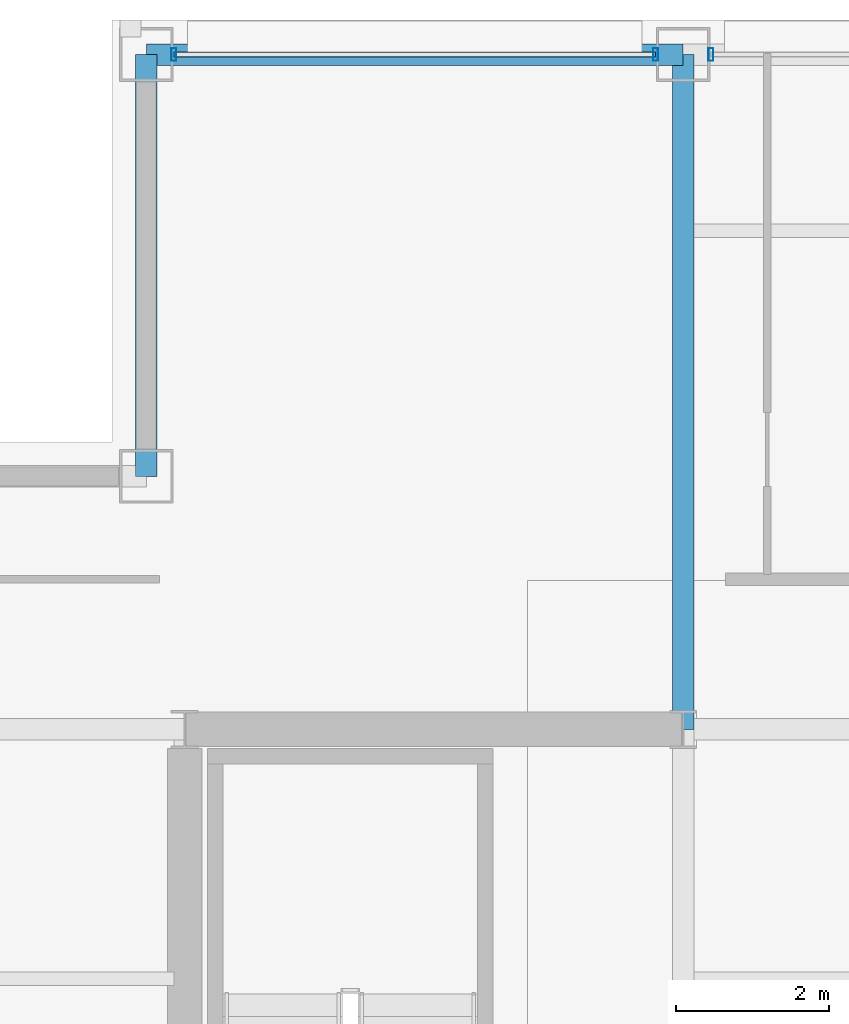
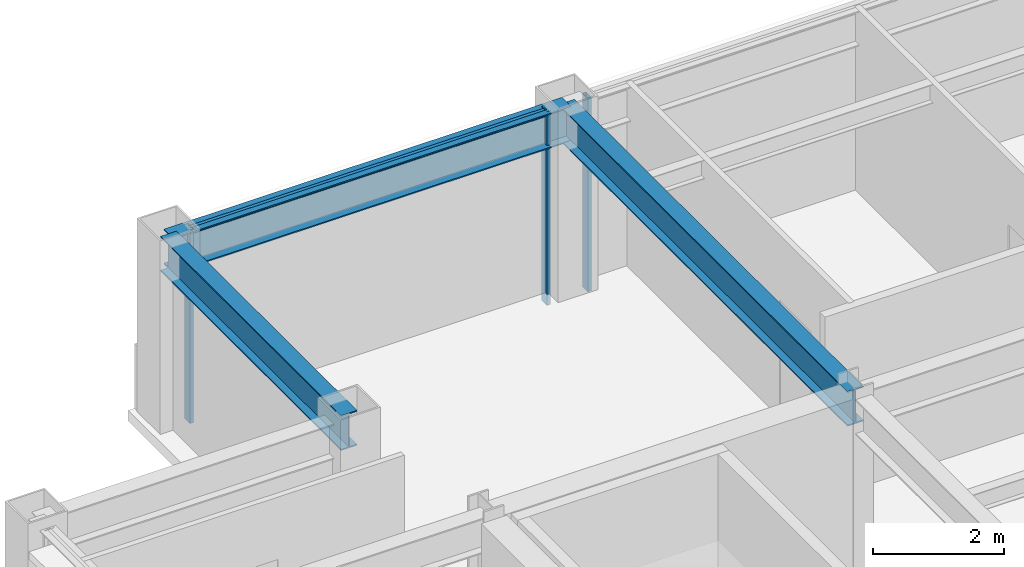
# One storey, part 19 of 29: 4 members, 3 beams, 2 elements without a shape of their own.
"""IFC4 building model written with IfcOpenShell, lengths in metres."""

import ifcopenshell
import ifcopenshell.guid

model = None  # the IFC model being written
_history = None  # IfcOwnerHistory: only IFC2X3 demands one
_inside = {}  # id of a spatial element -> (the spatial element, [elements in it])
_under = {}  # id of a project, library or spatial element -> (it, [spatial elements below it])
_declared = {}  # id of a project -> (the project, [libraries it declares])
_typed = {}  # id of a type object -> (the type object, [elements of that type])
_made_of = {}  # id of a material, layer set ... -> (it, [elements and type objects made of it])


def new_model(schema):
    """Start an empty IFC model of exactly this schema.

    Asked for "IFC4X3", IfcOpenShell would pick the latest addendum, in which some entities
    have other attributes; the version numbers below select the first issue.
    IFC2X3 requires an IfcOwnerHistory on every rooted entity: one is made here for all.
    """
    global model, _history
    if schema == "IFC4X3":
        model = ifcopenshell.file(schema_version=(4, 3, 0, 0))
    else:
        model = ifcopenshell.file(schema=schema)
    _inside.clear()
    _under.clear()
    _declared.clear()
    _typed.clear()
    _made_of.clear()
    _history = None
    if model.schema == "IFC2X3":
        org = make("IfcOrganization", Name="unknown")
        user = make(
            "IfcPersonAndOrganization",
            ThePerson=make("IfcPerson", FamilyName="unknown"),
            TheOrganization=org,
        )
        app = make(
            "IfcApplication",
            ApplicationDeveloper=org,
            Version="unknown",
            ApplicationFullName="unknown",
            ApplicationIdentifier="unknown",
        )
        _history = make(
            "IfcOwnerHistory",
            OwningUser=user,
            OwningApplication=app,
            ChangeAction="ADDED",
            CreationDate=0,
        )
    return model


def make(cls, **values):
    """One entity of the class cls with the attributes given. An attribute that is None is left unset."""
    return model.create_entity(
        cls, **{name: value for name, value in values.items() if value is not None}
    )


def rooted(cls, **values):
    """An entity with a GlobalId (a new one), such as an element, a storey or a relation."""
    return make(cls, GlobalId=ifcopenshell.guid.new(), OwnerHistory=_history, **values)


def si_unit(unit_type, name, prefix=None):
    """IfcSIUnit, for example si_unit("LENGTHUNIT", "METRE", prefix="MILLI")."""
    return make("IfcSIUnit", UnitType=unit_type, Prefix=prefix, Name=name)


def assignment(units):
    """IfcUnitAssignment: the units of a project."""
    return None if units is None else make("IfcUnitAssignment", Units=units)


def point(xyz):
    """IfcCartesianPoint."""
    return None if xyz is None else make("IfcCartesianPoint", Coordinates=xyz)


def direction(xyz):
    """IfcDirection."""
    return None if xyz is None else make("IfcDirection", DirectionRatios=xyz)


def frame(location, z_axis=None, x_axis=None):
    """IfcAxis2Placement3D, a coordinate frame: its origin and axes. An axis left out is left unset."""
    return make(
        "IfcAxis2Placement3D",
        Location=point(location),
        Axis=direction(z_axis),
        RefDirection=direction(x_axis),
    )


def frame_2d(location, x_axis=None):
    """IfcAxis2Placement2D, a coordinate frame in the plane: its origin and x axis."""
    return make(
        "IfcAxis2Placement2D", Location=point(location), RefDirection=direction(x_axis)
    )


def origin():
    """The frame at (0, 0, 0) with its axes left unset."""
    return frame((0.0, 0.0, 0.0))


def origin_2d():
    """The frame at (0, 0) in the plane with its x axis left unset."""
    return frame_2d((0.0, 0.0))


def place(relative_to, where):
    """IfcLocalPlacement: puts the frame where relative to a parent placement (None: the world)."""
    return make(
        "IfcLocalPlacement", PlacementRelTo=relative_to, RelativePlacement=where
    )


def context(
    kind, dimensions, precision=None, world=None, true_north=None, identifier=None
):
    """IfcGeometricRepresentationContext, for example the 3D "Model" context."""
    return make(
        "IfcGeometricRepresentationContext",
        ContextIdentifier=identifier,
        ContextType=kind,
        CoordinateSpaceDimension=dimensions,
        Precision=precision,
        WorldCoordinateSystem=world,
        TrueNorth=true_north,
    )


def subcontext(parent, identifier, kind, view, scale=None):
    """IfcGeometricRepresentationSubContext, for example "Body" below "Model"."""
    return make(
        "IfcGeometricRepresentationSubContext",
        ContextIdentifier=identifier,
        ContextType=kind,
        ParentContext=parent,
        TargetScale=scale,
        TargetView=view,
    )


def project(units=None, contexts=None):
    """IfcProject with its units and contexts."""
    return rooted(
        "IfcProject",
        Name="project",
        RepresentationContexts=contexts,
        UnitsInContext=assignment(units),
    )


def spatial(cls, under=None, at=None, **own):
    """A site, building, storey or space (cls), placed at a placement, below another one or the project."""
    s = rooted(cls, ObjectPlacement=at, **own)
    if under is not None:
        _under.setdefault(under.id(), (under, []))[1].append(s)
    return s


def profile(cls, at=None, kind="AREA", **sizes):
    """A parametric profile (cls). Its sizes go by their IFC names, for example OverallWidth=200.0."""
    return make(cls, ProfileType=kind, Position=at, **sizes)


def hollow_rectangle(**sizes):
    """IfcRectangleHollowProfileDef."""
    return profile("IfcRectangleHollowProfileDef", **sizes)


def i_section(**sizes):
    """IfcIShapeProfileDef."""
    return profile("IfcIShapeProfileDef", **sizes)


def extrude(swept, where, along, depth):
    """IfcExtrudedAreaSolid: the profile swept, set in the frame where, extruded along a direction by depth."""
    return make(
        "IfcExtrudedAreaSolid",
        SweptArea=swept,
        Position=where,
        ExtrudedDirection=direction(along),
        Depth=depth,
    )


def shape(context_of_items, identifier, shape_type, items):
    """IfcShapeRepresentation: the items that make up one representation, for example the "Body"."""
    return make(
        "IfcShapeRepresentation",
        ContextOfItems=context_of_items,
        RepresentationIdentifier=identifier,
        RepresentationType=shape_type,
        Items=items,
    )


def material(Name=None, Category=None):
    """IfcMaterial."""
    return make("IfcMaterial", Name=Name, Category=Category)


def layer(
    of_material, thickness, ventilated=None, Name=None, Category=None, Priority=None
):
    """IfcMaterialLayer: one layer of a wall or slab, of a material (None: an air gap)."""
    return make(
        "IfcMaterialLayer",
        Material=of_material,
        LayerThickness=thickness,
        IsVentilated=ventilated,
        Name=Name,
        Category=Category,
        Priority=Priority,
    )


def layer_set(layers, Name=None):
    """IfcMaterialLayerSet."""
    return make("IfcMaterialLayerSet", MaterialLayers=layers, LayerSetName=Name)


def material_profile(
    of_material, cross_section, Name=None, Category=None, Priority=None
):
    """IfcMaterialProfile: a cross section and its material."""
    return make(
        "IfcMaterialProfile",
        Name=Name,
        Material=of_material,
        Profile=cross_section,
        Priority=Priority,
        Category=Category,
    )


def profile_set(profiles, Name=None, composite=None):
    """IfcMaterialProfileSet."""
    return make(
        "IfcMaterialProfileSet",
        Name=Name,
        MaterialProfiles=profiles,
        CompositeProfile=composite,
    )


def made_of(thing, what):
    """Note that an element or type object is made of a material, layer set ...; save() writes the relation."""
    if what is not None:
        _made_of.setdefault(what.id(), (what, []))[1].append(thing)
    return thing


def type_object(cls, material=None, **own):
    """A type object (cls), such as IfcWallType, which elements share."""
    return made_of(rooted(cls, **own), material)


def element(
    cls,
    number,
    at=None,
    inside=None,
    cuts=None,
    type_object=None,
    material=None,
    context=None,
    identifier="Body",
    shape_type=None,
    held_by="IfcProductDefinitionShape",
    body=None,
    shapes=None,
    **own,
):
    """One element of the class cls, such as IfcWall. Its Tag is "e" and its number.

    at: its placement. inside: the storey or other place that contains it. cuts: it is an
    opening in that element (IfcRelVoidsElement). A single representation is given by context,
    identifier, shape_type and body (its items); several are given by shapes. held_by: the class
    of the entity that holds the representations. save() writes the other relations.
    """
    e = rooted(cls, Tag="e%d" % number, ObjectPlacement=at, **own)
    if body is not None:
        shapes = [shape(context, identifier, shape_type, body)]
    if shapes is not None:
        e.Representation = make(held_by, Representations=shapes)
    if inside is not None:
        _inside.setdefault(inside.id(), (inside, []))[1].append(e)
    if cuts is not None:
        rooted(
            "IfcRelVoidsElement", RelatingBuildingElement=cuts, RelatedOpeningElement=e
        )
    if type_object is not None:
        _typed.setdefault(type_object.id(), (type_object, []))[1].append(e)
    return made_of(e, material)


def aggregate(whole, parts):
    """IfcRelAggregates: a whole, such as a stair, and the parts it consists of."""
    return rooted("IfcRelAggregates", RelatingObject=whole, RelatedObjects=parts)


def save(model, path):
    """Write the relations noted so far, then the file.

    IfcRelAggregates (storeys below a building ...), IfcRelContainedInSpatialStructure (elements
    in a storey), IfcRelDefinesByType, IfcRelAssociatesMaterial and IfcRelDeclares: one each for
    every whole, place, type object, material and project.
    """
    for whole, parts in _under.values():
        aggregate(whole, parts)
    for where, things in _inside.values():
        rooted(
            "IfcRelContainedInSpatialStructure",
            RelatedElements=things,
            RelatingStructure=where,
        )
    for kind, things in _typed.values():
        rooted("IfcRelDefinesByType", RelatedObjects=things, RelatingType=kind)
    for what, things in _made_of.values():
        rooted("IfcRelAssociatesMaterial", RelatedObjects=things, RelatingMaterial=what)
    for by, libraries in _declared.values():
        rooted("IfcRelDeclares", RelatingContext=by, RelatedDefinitions=libraries)
    model.write(path)


model = new_model("IFC4")

# Units and contexts
model_context = context("Model", 3, precision=1e-05, world=origin(), true_north=direction((0.0, 1.0)))
body_context = subcontext(model_context, "Body", "Model", "MODEL_VIEW")
ifc_project = project(units=[si_unit("LENGTHUNIT", "METRE"), si_unit("AREAUNIT", "SQUARE_METRE"), si_unit("VOLUMEUNIT", "CUBIC_METRE"), si_unit("PLANEANGLEUNIT", "RADIAN"), si_unit("MASSUNIT", "GRAM", prefix="KILO")], contexts=[model_context])

# Site, building, storey
site_placement = place(None, origin())
site = spatial("IfcSite", under=ifc_project, at=site_placement, CompositionType="ELEMENT")
building_placement = place(site_placement, origin())
building = spatial("IfcBuilding", under=site, at=building_placement, Name="Brelmoor Portico Tower", CompositionType="ELEMENT")
storey_placement = place(building_placement, frame((0.0, 0.0, 201.89990234375)))
storey = spatial("IfcBuildingStorey", under=building, at=storey_placement, Name="L53", CompositionType="ELEMENT", Elevation=201.89990234375)

# Beams
ifc_material_1 = material(Name="Steel Q355B", Category="steel")
ifc_material_profile_1 = material_profile(ifc_material_1, i_section(OverallWidth=0.280029296875, OverallDepth=0.64990234375, WebThickness=0.012939453125, FlangeThickness=0.02197265625, at=origin_2d()), Name="HN 650x280x13x22")
ifc_profile_set_1 = profile_set([ifc_material_profile_1], Name="Steel Q355B")
beam_type_1 = type_object("IfcBeamType", Name="BM-PG-650", PredefinedType="BEAM", material=ifc_profile_set_1)
beam_1_placement = place(storey_placement, frame((-8.050048828125, 9.75, 3.0751953125), z_axis=(0.0, 1.0, 0.0), x_axis=(-1.0, 0.0, 0.0)))
element("IfcBeam", 1, at=beam_1_placement, inside=storey, type_object=beam_type_1, Name="L53 Primary Floor Girder PG-05", PredefinedType="BEAM", context=body_context, shape_type="SweptSolid", body=[
    extrude(i_section(OverallWidth=0.280029296875, OverallDepth=0.64990234375, WebThickness=0.012939453125, FlangeThickness=0.02197265625, at=origin_2d()), origin(), (0.0, 0.0, 1.0), 8.800048828125),
])
ifc_material_profile_2 = material_profile(ifc_material_1, i_section(OverallWidth=0.280029296875, OverallDepth=0.64990234375, WebThickness=0.012939453125, FlangeThickness=0.02197265625, at=origin_2d()), Name="HN 650x280x13x22")
ifc_profile_set_2 = profile_set([ifc_material_profile_2], Name="Steel Q355B")
beam_type_2 = type_object("IfcBeamType", Name="BM-SP-650", PredefinedType="SPANDREL", material=ifc_profile_set_2)
beam_2_placement = place(storey_placement, frame((-15.050048828125, 18.550048828125, 3.0751953125), z_axis=(1.0, 0.0, 0.0), x_axis=(0.0, 1.0, 0.0)))
element("IfcBeam", 2, at=beam_2_placement, inside=storey, type_object=beam_type_2, Name="L53 Perimeter Spandrel Beam SP-08", PredefinedType="SPANDREL", context=body_context, shape_type="SweptSolid", body=[
    extrude(i_section(OverallWidth=0.280029296875, OverallDepth=0.64990234375, WebThickness=0.012939453125, FlangeThickness=0.02197265625, at=origin_2d()), origin(), (0.0, 0.0, 1.0), 7.0),
])
beam_3_placement = place(storey_placement, frame((-15.050048828125, 13.050048828125, 3.0751953125), z_axis=(0.0, 1.0, 0.0), x_axis=(-1.0, 0.0, 0.0)))
element("IfcBeam", 3, at=beam_3_placement, inside=storey, type_object=beam_type_2, Name="L53 Perimeter Spandrel Beam SP-15", PredefinedType="SPANDREL", context=body_context, shape_type="SweptSolid", body=[
    extrude(i_section(OverallWidth=0.280029296875, OverallDepth=0.64990234375, WebThickness=0.012939453125, FlangeThickness=0.02197265625, at=origin_2d()), origin(), (0.0, 0.0, 1.0), 5.5),
])

# Curtain wall, members
ifc_material_2 = material(Name="Anodised Aluminium Alloy 6063-T6", Category="aluminium")
ifc_layer = layer(ifc_material_2, 0.179931640625)
ifc_layer_set = layer_set([ifc_layer], Name="Anodised Aluminium Alloy 6063-T6")
curtain_wall_type = type_object("IfcCurtainWallType", Name="CW-TOWER-Z3-XB", PredefinedType="NOTDEFINED", material=ifc_layer_set)
curtain_wall_1_placement = place(storey_placement, origin())
curtain_wall_1 = element("IfcCurtainWall", 4, at=curtain_wall_1_placement, inside=storey, type_object=curtain_wall_type, Name="L53 Curtain Wall CW-L53-02-1", PredefinedType="NOTDEFINED")
ifc_material_profile_3 = material_profile(ifc_material_2, hollow_rectangle(XDim=0.06494140625, YDim=0.1650390625, WallThickness=0.00390625, at=origin_2d()), Name="ALU MULLION 65x165")
ifc_profile_set_3 = profile_set([ifc_material_profile_3], Name="Anodised Aluminium Alloy 6063-T6")
member_type_1 = type_object("IfcMemberType", Name="MB-CW-MULL-165", PredefinedType="MULLION", material=ifc_profile_set_3)
member_1_placement = place(storey_placement, frame((-14.68994140625, 18.550048828125, -0.199951171875), z_axis=(0.0, 0.0, 1.0), x_axis=(1.0, 0.0, 0.0)))
member_1 = element("IfcMember", 5, at=member_1_placement, type_object=member_type_1, Name="CW-L53-02-1 Mullion 00", PredefinedType="MULLION", context=body_context, shape_type="SweptSolid", body=[
    extrude(hollow_rectangle(XDim=0.06494140625, YDim=0.1650390625, WallThickness=0.00390625, at=origin_2d()), origin(), (0.0, 0.0, 1.0), 3.60009765625),
])
member_2_placement = place(storey_placement, frame((-8.409912109375, 18.550048828125, -0.199951171875), z_axis=(0.0, 0.0, 1.0), x_axis=(1.0, 0.0, 0.0)))
member_2 = element("IfcMember", 6, at=member_2_placement, type_object=member_type_1, Name="CW-L53-02-1 Mullion 01", PredefinedType="MULLION", context=body_context, shape_type="SweptSolid", body=[
    extrude(hollow_rectangle(XDim=0.06494140625, YDim=0.1650390625, WallThickness=0.00390625, at=origin_2d()), origin(), (0.0, 0.0, 1.0), 3.60009765625),
])

# Curtain wall, member
curtain_wall_2_placement = place(storey_placement, origin())
curtain_wall_2 = element("IfcCurtainWall", 7, at=curtain_wall_2_placement, inside=storey, type_object=curtain_wall_type, Name="L53 Curtain Wall CW-L53-02-2", PredefinedType="NOTDEFINED")
member_3_placement = place(storey_placement, frame((-7.68994140625, 18.550048828125, -0.199951171875), z_axis=(0.0, 0.0, 1.0), x_axis=(1.0, 0.0, 0.0)))
member_3 = element("IfcMember", 8, at=member_3_placement, type_object=member_type_1, Name="CW-L53-02-2 Mullion 00", PredefinedType="MULLION", context=body_context, shape_type="SweptSolid", body=[
    extrude(hollow_rectangle(XDim=0.06494140625, YDim=0.1650390625, WallThickness=0.00390625, at=origin_2d()), origin(), (0.0, 0.0, 1.0), 3.60009765625),
])
aggregate(curtain_wall_2, [member_3])

# Member
ifc_material_profile_4 = material_profile(ifc_material_2, hollow_rectangle(XDim=0.06005859375, YDim=0.125, WallThickness=0.00341796875, at=origin_2d()), Name="ALU TRANSOM 60x125")
ifc_profile_set_4 = profile_set([ifc_material_profile_4], Name="Anodised Aluminium Alloy 6063-T6")
member_type_2 = type_object("IfcMemberType", Name="MB-CW-TRAN-125", PredefinedType="USERDEFINED", material=ifc_profile_set_4)
member_4_placement = place(storey_placement, frame((-14.68994140625, 18.550048828125, 3.337646484375), z_axis=(1.0, 0.0, 0.0), x_axis=(0.0, 1.0, 0.0)))
member_4 = element("IfcMember", 9, at=member_4_placement, type_object=member_type_2, Name="CW-L53-02-1 Transom 1-00", ObjectType="TRANSOM", PredefinedType="USERDEFINED", context=body_context, shape_type="SweptSolid", body=[
    extrude(hollow_rectangle(XDim=0.06005859375, YDim=0.125, WallThickness=0.00341796875, at=origin_2d()), origin(), (0.0, 0.0, 1.0), 6.280029296875),
])

aggregate(curtain_wall_1, [member_1, member_2, member_4])

save(model, "model.ifc")
